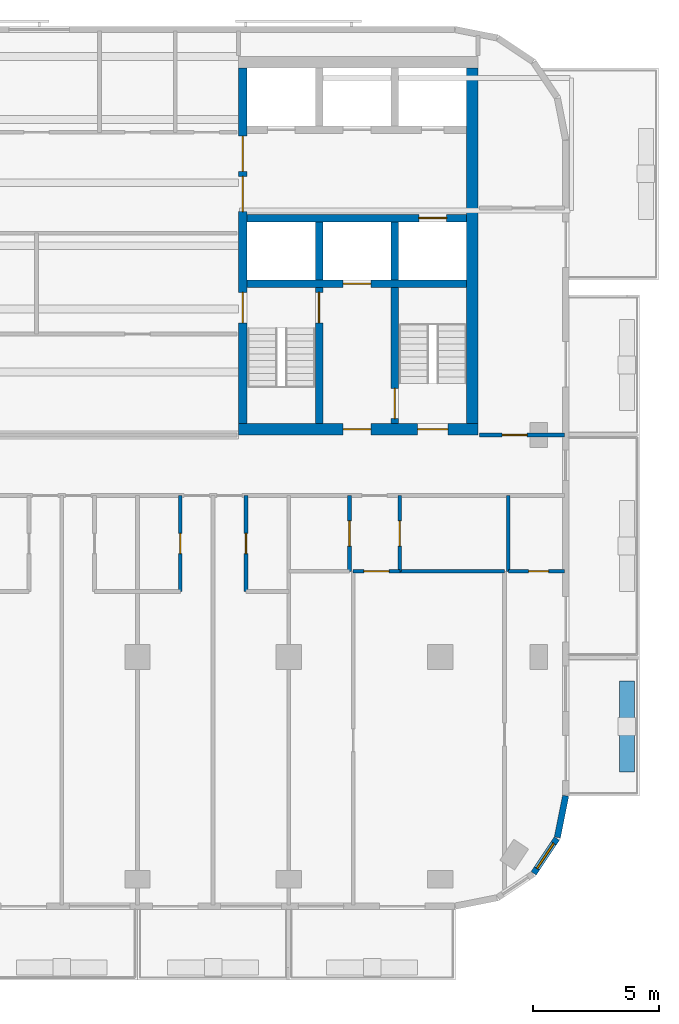
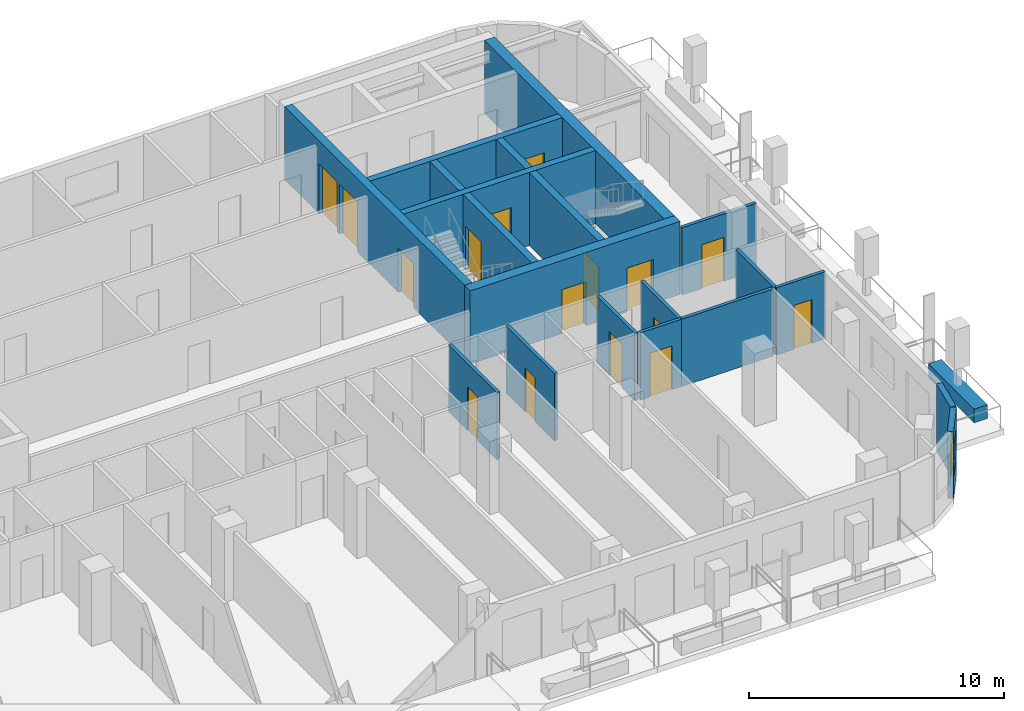
# One storey, part 5 of 11: 21 walls, 16 doors, 1 window, 17 openings.
"""IFC4 building model written with IfcOpenShell, lengths in metres."""

from ifc_helpers import new_model, si_unit, direction, frame, frame_2d, origin, place, context, subcontext, project, spatial, rectangle, extrude, material, layer, layer_set, type_object, element, fill, save


model = new_model("IFC4")

# Units and contexts
model_context = context("Model", 3, precision=1e-05, world=origin(), true_north=direction((0.0, 1.0)))
body_context = subcontext(model_context, "Body", "Model", "MODEL_VIEW")
ifc_project = project(units=[si_unit("LENGTHUNIT", "METRE"), si_unit("AREAUNIT", "SQUARE_METRE"), si_unit("VOLUMEUNIT", "CUBIC_METRE"), si_unit("PLANEANGLEUNIT", "RADIAN"), si_unit("MASSUNIT", "GRAM", prefix="KILO")], contexts=[model_context])

# Site, building, storey
site_placement = place(None, origin())
site = spatial("IfcSite", under=ifc_project, at=site_placement, CompositionType="ELEMENT")
building_placement = place(site_placement, origin())
building = spatial("IfcBuilding", under=site, at=building_placement, Name="Torana Hotel and Residences", CompositionType="ELEMENT")
storey_placement = place(building_placement, frame((0.0, 0.0, 273.60009765625)))
storey = spatial("IfcBuildingStorey", under=building, at=storey_placement, Name="L72", CompositionType="ELEMENT", Elevation=273.60009765625)

# Wall, opening, door
ifc_material_1 = material(Name="Concrete C60/75", Category="concrete")
ifc_layer_1 = layer(ifc_material_1, 0.300048828125)
ifc_layer_set_1 = layer_set([ifc_layer_1], Name="CORE WALL 300 C60/75")
wall_type_1 = type_object("IfcWallType", Name="CORE WALL 300 C60/75", PredefinedType="SHEAR", material=ifc_layer_set_1)
wall_1_placement = place(storey_placement, frame((10.35009765625, -6.39990234375, 0.0), z_axis=(0.0, 0.0, 1.0), x_axis=(1.0, 0.0, 0.0)))
wall_1 = element("IfcWall", 1, at=wall_1_placement, inside=storey, type_object=wall_type_1, Name="Core wall E row-S", PredefinedType="SHEAR", context=body_context, shape_type="SweptSolid", body=[
    extrude(rectangle(XDim=8.699951171875, YDim=0.300048828125, at=frame_2d((4.35009765625, 0.0))), origin(), (0.0, 0.0, 1.0), 3.5),
])
opening_1_placement = place(wall_1_placement, frame((6.800048828125, 0.0, 0.0)))
opening_1 = element("IfcOpeningElement", 2, at=opening_1_placement, cuts=wall_1, Name="Opening LD", PredefinedType="OPENING", context=body_context, shape_type="SweptSolid", body=[
    extrude(rectangle(XDim=1.10009765625, YDim=2.10009765625, at=frame_2d((0.550048828125, 1.050048828125))), frame((0.0, 0.159912109375, 0.0), z_axis=(0.0, -1.0, 0.0), x_axis=(1.0, 0.0, 0.0)), (0.0, 0.0, 1.0), 0.320068359375),
])
ifc_material_2 = material(Name="Stainless steel 316", Category="steel")
door_type_1 = type_object("IfcDoorType", Name="LIFT LANDING DOOR LD 1100x2100", OperationType="DOUBLE_DOOR_SLIDING", PredefinedType="USERDEFINED", material=ifc_material_2)
door_1_placement = place(opening_1_placement, origin())
door_1 = element("IfcDoor", 3, at=door_1_placement, inside=storey, type_object=door_type_1, Name="Lift landing door SV2 L72", ObjectType="LIFT LANDING DOOR", OperationType="DOUBLE_DOOR_SLIDING", OverallHeight=2.10009765625, OverallWidth=1.10009765625, PredefinedType="USERDEFINED", context=body_context, shape_type="SweptSolid", body=[
    extrude(rectangle(XDim=1.10009765625, YDim=2.10009765625, at=frame_2d((0.550048828125, 1.050048828125))), frame((0.0, 0.02490234375, 0.0), z_axis=(0.0, -1.0, 0.0), x_axis=(1.0, 0.0, 0.0)), (0.0, 0.0, 1.0), 0.050048828125),
])
fill(opening_1, door_1)

wall_2_placement = place(storey_placement, frame((10.35009765625, -9.0, 0.0), z_axis=(0.0, 0.0, 1.0), x_axis=(1.0, 0.0, 0.0)))
wall_2 = element("IfcWall", 4, at=wall_2_placement, inside=storey, type_object=wall_type_1, Name="Core wall E band", PredefinedType="SHEAR", context=body_context, shape_type="SweptSolid", body=[
    extrude(rectangle(XDim=8.699951171875, YDim=0.300048828125, at=frame_2d((4.35009765625, 0.0))), origin(), (0.0, 0.0, 1.0), 3.5),
])
opening_2_placement = place(wall_2_placement, frame((3.800048828125, 0.0, 0.0)))
opening_2 = element("IfcOpeningElement", 5, at=opening_2_placement, cuts=wall_2, Name="Opening LD", PredefinedType="OPENING", context=body_context, shape_type="SweptSolid", body=[
    extrude(rectangle(XDim=1.10009765625, YDim=2.10009765625, at=frame_2d((0.550048828125, 1.050048828125))), frame((0.0, 0.159912109375, 0.0), z_axis=(0.0, -1.0, 0.0), x_axis=(1.0, 0.0, 0.0)), (0.0, 0.0, 1.0), 0.320068359375),
])
door_2_placement = place(opening_2_placement, origin())
door_2 = element("IfcDoor", 6, at=door_2_placement, inside=storey, type_object=door_type_1, Name="Lift landing door FF2 L72", ObjectType="LIFT LANDING DOOR", OperationType="DOUBLE_DOOR_SLIDING", OverallHeight=2.10009765625, OverallWidth=1.10009765625, PredefinedType="USERDEFINED", context=body_context, shape_type="SweptSolid", body=[
    extrude(rectangle(XDim=1.10009765625, YDim=2.10009765625, at=frame_2d((0.550048828125, 1.050048828125))), frame((0.0, 0.02490234375, 0.0), z_axis=(0.0, -1.0, 0.0), x_axis=(1.0, 0.0, 0.0)), (0.0, 0.0, 1.0), 0.050048828125),
])
fill(opening_2, door_2)

# Wall
wall_3_placement = place(storey_placement, frame((13.199951171875, -8.85009765625, 0.0), z_axis=(0.0, 0.0, 1.0), x_axis=(0.0, 1.0, 0.0)))
element("IfcWall", 7, at=wall_3_placement, inside=storey, type_object=wall_type_1, Name="Core wall E x3.05-S", PredefinedType="SHEAR", context=body_context, shape_type="SweptSolid", body=[
    extrude(rectangle(XDim=2.300048828125, YDim=0.300048828125, at=frame_2d((1.14990234375, 0.0))), origin(), (0.0, 0.0, 1.0), 3.5),
])

# Wall, opening, door
wall_4_placement = place(storey_placement, frame((13.199951171875, -14.550048828125, 0.0), z_axis=(0.0, 0.0, 1.0), x_axis=(0.0, 1.0, 0.0)))
wall_4 = element("IfcWall", 8, at=wall_4_placement, inside=storey, type_object=wall_type_1, Name="Core wall E x3.05-band", PredefinedType="SHEAR", context=body_context, shape_type="SweptSolid", body=[
    extrude(rectangle(XDim=5.400146484375, YDim=0.300048828125, at=frame_2d((2.7001953125, 0.0))), origin(), (0.0, 0.0, 1.0), 3.5),
])
opening_3_placement = place(wall_4_placement, frame((4.0, 0.0, 0.0)))
opening_3 = element("IfcOpeningElement", 9, at=opening_3_placement, cuts=wall_4, Name="Opening L72-15", PredefinedType="OPENING", context=body_context, shape_type="SweptSolid", body=[
    extrude(rectangle(XDim=1.199951171875, YDim=2.10009765625, at=frame_2d((0.60009765625, 1.050048828125))), frame((0.0, 0.159912109375, 0.0), z_axis=(0.0, -1.0, 0.0), x_axis=(1.0, 0.0, 0.0)), (0.0, 0.0, 1.0), 0.320068359375),
])
ifc_material_3 = material(Name="Steel S235", Category="steel")
door_type_2 = type_object("IfcDoorType", Name="STAIR FIRE DOOR D3 1200x2100", OperationType="SINGLE_SWING_LEFT", PredefinedType="DOOR", material=ifc_material_3)
door_3_placement = place(opening_3_placement, origin())
door_3 = element("IfcDoor", 10, at=door_3_placement, inside=storey, type_object=door_type_2, Name="Stair-A-lobby door L72", OperationType="SINGLE_SWING_LEFT", OverallHeight=2.10009765625, OverallWidth=1.199951171875, PredefinedType="DOOR", context=body_context, shape_type="SweptSolid", body=[
    extrude(rectangle(XDim=1.199951171875, YDim=2.10009765625, at=frame_2d((0.60009765625, 1.050048828125))), frame((0.0, 0.02490234375, 0.0), z_axis=(0.0, -1.0, 0.0), x_axis=(1.0, 0.0, 0.0)), (0.0, 0.0, 1.0), 0.050048828125),
])
fill(opening_3, door_3)

# Wall
wall_5_placement = place(storey_placement, frame((16.199951171875, -8.85009765625, 0.0), z_axis=(0.0, 0.0, 1.0), x_axis=(0.0, 1.0, 0.0)))
element("IfcWall", 11, at=wall_5_placement, inside=storey, type_object=wall_type_1, Name="Core wall E x6.05-S", PredefinedType="SHEAR", context=body_context, shape_type="SweptSolid", body=[
    extrude(rectangle(XDim=2.300048828125, YDim=0.300048828125, at=frame_2d((1.14990234375, 0.0))), origin(), (0.0, 0.0, 1.0), 3.5),
])

# Wall, opening, door
wall_6_placement = place(storey_placement, frame((16.199951171875, -14.550048828125, 0.0), z_axis=(0.0, 0.0, 1.0), x_axis=(0.0, 1.0, 0.0)))
wall_6 = element("IfcWall", 12, at=wall_6_placement, inside=storey, type_object=wall_type_1, Name="Core wall E x6.05-band", PredefinedType="SHEAR", context=body_context, shape_type="SweptSolid", body=[
    extrude(rectangle(XDim=5.400146484375, YDim=0.300048828125, at=frame_2d((2.7001953125, 0.0))), origin(), (0.0, 0.0, 1.0), 3.5),
])
opening_4_placement = place(wall_6_placement, frame((0.199951171875, 0.0, 0.0)))
opening_4 = element("IfcOpeningElement", 13, at=opening_4_placement, cuts=wall_6, Name="Opening L72-16", PredefinedType="OPENING", context=body_context, shape_type="SweptSolid", body=[
    extrude(rectangle(XDim=1.199951171875, YDim=2.10009765625, at=frame_2d((0.60009765625, 1.050048828125))), frame((0.0, 0.159912109375, 0.0), z_axis=(0.0, -1.0, 0.0), x_axis=(1.0, 0.0, 0.0)), (0.0, 0.0, 1.0), 0.320068359375),
])
door_4_placement = place(opening_4_placement, frame((0.60009765625, 0.0, 0.0), z_axis=(0.0, 0.0, 1.0), x_axis=(-1.0, 0.0, 0.0)))
door_4 = element("IfcDoor", 14, at=door_4_placement, inside=storey, type_object=door_type_2, Name="Stair-B-lobby door L72", OperationType="SINGLE_SWING_LEFT", OverallHeight=2.10009765625, OverallWidth=1.199951171875, PredefinedType="DOOR", context=body_context, shape_type="SweptSolid", body=[
    extrude(rectangle(XDim=1.199951171875, YDim=2.10009765625, at=frame_2d((0.0, 1.050048828125))), frame((0.0, -0.02490234375, 0.0), z_axis=(0.0, 1.0, 0.0), x_axis=(-1.0, 0.0, 0.0)), (0.0, 0.0, 1.0), 0.050048828125),
])
fill(opening_4, door_4)

# Wall, openings, doors
ifc_material_4 = material(Name="Concrete C60/75", Category="concrete")
ifc_layer_2 = layer(ifc_material_4, 0.35009765625)
ifc_layer_set_2 = layer_set([ifc_layer_2], Name="CORE WALL 350 C60/75")
wall_type_2 = type_object("IfcWallType", Name="CORE WALL 350 C60/75", PredefinedType="SHEAR", material=ifc_layer_set_2)
wall_7_placement = place(storey_placement, frame((10.175048828125, -14.550048828125, 0.0), z_axis=(0.0, 0.0, 1.0), x_axis=(0.0, 1.0, 0.0)))
wall_7 = element("IfcWall", 15, at=wall_7_placement, inside=storey, type_object=wall_type_2, Name="Core wall E arch", PredefinedType="SHEAR", context=body_context, shape_type="SweptSolid", body=[
    extrude(rectangle(XDim=14.10009765625, YDim=0.35009765625, at=frame_2d((7.050048828125, 0.0))), origin(), (0.0, 0.0, 1.0), 3.5),
])
opening_5_placement = place(wall_7_placement, frame((8.39990234375, 0.0, 0.0)))
opening_5 = element("IfcOpeningElement", 16, at=opening_5_placement, cuts=wall_7, Name="Opening L72-09", PredefinedType="OPENING", context=body_context, shape_type="SweptSolid", body=[
    extrude(rectangle(XDim=1.39990234375, YDim=2.39990234375, at=frame_2d((0.699951171875, 1.199951171875))), frame((0.0, 0.18505859375, 0.0), z_axis=(0.0, -1.0, 0.0), x_axis=(1.0, 0.0, 0.0)), (0.0, 0.0, 1.0), 0.3701171875),
])
opening_6_placement = place(wall_7_placement, frame((10.0, 0.0, 0.0)))
opening_6 = element("IfcOpeningElement", 17, at=opening_6_placement, cuts=wall_7, Name="Opening L72-10", PredefinedType="OPENING", context=body_context, shape_type="SweptSolid", body=[
    extrude(rectangle(XDim=1.39990234375, YDim=2.39990234375, at=frame_2d((0.699951171875, 1.199951171875))), frame((0.0, 0.18505859375, 0.0), z_axis=(0.0, -1.0, 0.0), x_axis=(1.0, 0.0, 0.0)), (0.0, 0.0, 1.0), 0.3701171875),
])
opening_7_placement = place(wall_7_placement, frame((4.0, 0.0, 0.0)))
opening_7 = element("IfcOpeningElement", 18, at=opening_7_placement, cuts=wall_7, Name="Opening L72-11", PredefinedType="OPENING", context=body_context, shape_type="SweptSolid", body=[
    extrude(rectangle(XDim=1.199951171875, YDim=2.10009765625, at=frame_2d((0.60009765625, 1.050048828125))), frame((0.0, 0.18505859375, 0.0), z_axis=(0.0, -1.0, 0.0), x_axis=(1.0, 0.0, 0.0)), (0.0, 0.0, 1.0), 0.3701171875),
])
ifc_material_5 = material(Name="Steel S235", Category="steel")
door_type_3 = type_object("IfcDoorType", Name="LOBBY FIRE DOOR D4 1400x2400", OperationType="DOUBLE_DOOR_SINGLE_SWING", PredefinedType="DOOR", material=ifc_material_5)
door_5_placement = place(opening_5_placement, origin())
door_5 = element("IfcDoor", 19, at=door_5_placement, inside=storey, type_object=door_type_3, Name="Lobby-1 door L72", OperationType="DOUBLE_DOOR_SINGLE_SWING", OverallHeight=2.39990234375, OverallWidth=1.39990234375, PredefinedType="DOOR", context=body_context, shape_type="SweptSolid", body=[
    extrude(rectangle(XDim=1.39990234375, YDim=2.39990234375, at=frame_2d((0.699951171875, 1.199951171875))), frame((0.0, 0.02490234375, 0.0), z_axis=(0.0, -1.0, 0.0), x_axis=(1.0, 0.0, 0.0)), (0.0, 0.0, 1.0), 0.050048828125),
])
fill(opening_5, door_5)
door_6_placement = place(opening_6_placement, origin())
door_6 = element("IfcDoor", 20, at=door_6_placement, inside=storey, type_object=door_type_3, Name="Lobby-2 door L72", OperationType="DOUBLE_DOOR_SINGLE_SWING", OverallHeight=2.39990234375, OverallWidth=1.39990234375, PredefinedType="DOOR", context=body_context, shape_type="SweptSolid", body=[
    extrude(rectangle(XDim=1.39990234375, YDim=2.39990234375, at=frame_2d((0.699951171875, 1.199951171875))), frame((0.0, 0.02490234375, 0.0), z_axis=(0.0, -1.0, 0.0), x_axis=(1.0, 0.0, 0.0)), (0.0, 0.0, 1.0), 0.050048828125),
])
fill(opening_6, door_6)
door_7_placement = place(opening_7_placement, frame((0.60009765625, 0.0, 0.0), z_axis=(0.0, 0.0, 1.0), x_axis=(-1.0, 0.0, 0.0)))
door_7 = element("IfcDoor", 21, at=door_7_placement, inside=storey, type_object=door_type_2, Name="Stair-A door L72", OperationType="SINGLE_SWING_RIGHT", OverallHeight=2.10009765625, OverallWidth=1.199951171875, PredefinedType="DOOR", context=body_context, shape_type="SweptSolid", body=[
    extrude(rectangle(XDim=1.199951171875, YDim=2.10009765625, at=frame_2d((0.0, 1.050048828125))), frame((0.0, -0.02490234375, 0.0), z_axis=(0.0, 1.0, 0.0), x_axis=(-1.0, 0.0, 0.0)), (0.0, 0.0, 1.0), 0.050048828125),
])
fill(opening_7, door_7)

ifc_material_6 = material(Name="Concrete C60/75", Category="concrete")
ifc_layer_3 = layer(ifc_material_6, 0.449951171875)
ifc_layer_set_3 = layer_set([ifc_layer_3], Name="CORE WALL 450 C60/75")
wall_type_3 = type_object("IfcWallType", Name="CORE WALL 450 C60/75", PredefinedType="SHEAR", material=ifc_layer_set_3)
wall_8_placement = place(storey_placement, frame((10.0, -14.77490234375, 0.0), z_axis=(0.0, 0.0, 1.0), x_axis=(1.0, 0.0, 0.0)))
wall_8 = element("IfcWall", 22, at=wall_8_placement, inside=storey, type_object=wall_type_3, Name="Core wall E front", PredefinedType="SHEAR", context=body_context, shape_type="SweptSolid", body=[
    extrude(rectangle(XDim=9.5, YDim=0.449951171875, at=frame_2d((4.75, 0.0))), origin(), (0.0, 0.0, 1.0), 3.5),
])
opening_8_placement = place(wall_8_placement, frame((7.10009765625, 0.0, 0.0)))
opening_8 = element("IfcOpeningElement", 23, at=opening_8_placement, cuts=wall_8, Name="Opening L72-12", PredefinedType="OPENING", context=body_context, shape_type="SweptSolid", body=[
    extrude(rectangle(XDim=1.199951171875, YDim=2.10009765625, at=frame_2d((0.60009765625, 1.050048828125))), frame((0.0, 0.23486328125, 0.0), z_axis=(0.0, -1.0, 0.0), x_axis=(1.0, 0.0, 0.0)), (0.0, 0.0, 1.0), 0.469970703125),
])
opening_9_placement = place(wall_8_placement, frame((4.14990234375, 0.0, 0.0)))
opening_9 = element("IfcOpeningElement", 24, at=opening_9_placement, cuts=wall_8, Name="Opening L72-13", PredefinedType="OPENING", context=body_context, shape_type="SweptSolid", body=[
    extrude(rectangle(XDim=1.10009765625, YDim=2.10009765625, at=frame_2d((0.550048828125, 1.050048828125))), frame((0.0, 0.23486328125, 0.0), z_axis=(0.0, -1.0, 0.0), x_axis=(1.0, 0.0, 0.0)), (0.0, 0.0, 1.0), 0.469970703125),
])
ifc_material_7 = material(Name="Steel S235", Category="steel")
door_type_4 = type_object("IfcDoorType", Name="FIRE-FIGHTING LOBBY DOOR D8 1100x2100", OperationType="SINGLE_SWING_LEFT", PredefinedType="DOOR", material=ifc_material_7)
door_8_placement = place(opening_9_placement, origin())
door_8 = element("IfcDoor", 25, at=door_8_placement, inside=storey, type_object=door_type_4, Name="FF-lobby door L72", OperationType="SINGLE_SWING_RIGHT", OverallHeight=2.10009765625, OverallWidth=1.10009765625, PredefinedType="DOOR", context=body_context, shape_type="SweptSolid", body=[
    extrude(rectangle(XDim=1.10009765625, YDim=2.10009765625, at=frame_2d((0.550048828125, 1.050048828125))), frame((0.0, 0.02490234375, 0.0), z_axis=(0.0, -1.0, 0.0), x_axis=(1.0, 0.0, 0.0)), (0.0, 0.0, 1.0), 0.050048828125),
])
fill(opening_9, door_8)
door_9_placement = place(opening_8_placement, origin())
door_9 = element("IfcDoor", 26, at=door_9_placement, inside=storey, type_object=door_type_2, Name="Stair-B door L72", OperationType="SINGLE_SWING_RIGHT", OverallHeight=2.10009765625, OverallWidth=1.199951171875, PredefinedType="DOOR", context=body_context, shape_type="SweptSolid", body=[
    extrude(rectangle(XDim=1.199951171875, YDim=2.10009765625, at=frame_2d((0.60009765625, 1.050048828125))), frame((0.0, 0.02490234375, 0.0), z_axis=(0.0, -1.0, 0.0), x_axis=(1.0, 0.0, 0.0)), (0.0, 0.0, 1.0), 0.050048828125),
])
fill(opening_8, door_9)

# Wall
wall_9_placement = place(storey_placement, frame((19.27490234375, -14.550048828125, 0.0), z_axis=(0.0, 0.0, 1.0), x_axis=(0.0, 1.0, 0.0)))
element("IfcWall", 27, at=wall_9_placement, inside=storey, type_object=wall_type_3, Name="Core wall E outer", PredefinedType="SHEAR", context=body_context, shape_type="SweptSolid", body=[
    extrude(rectangle(XDim=14.10009765625, YDim=0.449951171875, at=frame_2d((7.050048828125, 0.0))), origin(), (0.0, 0.0, 1.0), 3.5),
])

# Wall, opening, window
ifc_material_8 = material(Name="Black aluminium composite panel", Category="aluminium")
ifc_layer_4 = layer(ifc_material_8, 0.00390625, Name="Cladding", Category="cladding")
ifc_material_9 = material(Name="Ventilated air cavity")
ifc_layer_5 = layer(ifc_material_9, 0.0400390625, Name="Ventilated cavity", Category="cavity")
ifc_material_10 = material(Name="Mineral wool insulation")
ifc_layer_6 = layer(ifc_material_10, 0.090087890625, Name="Insulation", Category="insulation")
ifc_material_11 = material(Name="Steel S280GD", Category="steel")
ifc_layer_7 = layer(ifc_material_11, 0.092041015625, Name="Steel stud frame", Category="structure")
ifc_material_12 = material(Name="Fire rated plasterboard")
ifc_layer_8 = layer(ifc_material_12, 0.011962890625, Name="Inner board", Category="finish")
ifc_layer_9 = layer(ifc_material_12, 0.011962890625, Name="Second board", Category="finish")
ifc_layer_set_4 = layer_set([ifc_layer_4, ifc_layer_5, ifc_layer_6, ifc_layer_7, ifc_layer_8, ifc_layer_9], Name="EW1 EXTERNAL WALL BLACK METAL CLAD 250")
wall_type_4 = type_object("IfcWallType", Name="EW1 EXTERNAL WALL BLACK METAL CLAD 250", PredefinedType="SOLIDWALL", material=ifc_layer_set_4)
wall_10_placement = place(storey_placement, frame((21.705810546875, -32.37109375, 0.0), z_axis=(0.0, 0.0, 1.0), x_axis=(0.55555029066, 0.831482937015, 0.0)))
wall_10 = element("IfcWall", 28, at=wall_10_placement, inside=storey, type_object=wall_type_4, Name="External wall L72 e0.17", PredefinedType="SOLIDWALL", context=body_context, shape_type="SweptSolid", body=[
    extrude(rectangle(XDim=1.65625, YDim=0.25, at=frame_2d((0.828125, 0.0))), origin(), (0.0, 0.0, 1.0), 3.219970703125),
])
opening_10_placement = place(wall_10_placement, frame((0.228271484375, 0.0, 0.89990234375)))
opening_10 = element("IfcOpeningElement", 29, at=opening_10_placement, cuts=wall_10, Name="Opening W5", PredefinedType="OPENING", context=body_context, shape_type="SweptSolid", body=[
    extrude(rectangle(XDim=1.199951171875, YDim=1.5, at=frame_2d((0.60009765625, 0.75))), frame((0.0, 0.135009765625, 0.0), z_axis=(0.0, -1.0, 0.0), x_axis=(1.0, 0.0, 0.0)), (0.0, 0.0, 1.0), 0.27001953125),
])
ifc_material_13 = material(Name="Dark glass in black aluminium frame", Category="aluminium")
window_type = type_object("IfcWindowType", Name="W5 CORNER FACET WINDOW 1200x1500", PartitioningType="SINGLE_PANEL", PredefinedType="WINDOW", material=ifc_material_13)
window_placement = place(opening_10_placement, origin())
window = element("IfcWindow", 30, at=window_placement, inside=storey, type_object=window_type, Name="Window L72 e0.17", OverallHeight=1.5, OverallWidth=1.199951171875, PartitioningType="SINGLE_PANEL", PredefinedType="WINDOW", context=body_context, shape_type="SweptSolid", body=[
    extrude(rectangle(XDim=1.199951171875, YDim=1.5, at=frame_2d((0.60009765625, 0.75))), frame((0.0, 0.030029296875, 0.0), z_axis=(0.0, -1.0, 0.0), x_axis=(1.0, 0.0, 0.0)), (0.0, 0.0, 1.0), 0.06005859375),
])
fill(opening_10, window)

# Wall
wall_11_placement = place(storey_placement, frame((22.64453125, -30.948974609375, 0.0), z_axis=(0.0, 0.0, 1.0), x_axis=(0.19513878023, 0.980775640221, 0.0)))
element("IfcWall", 31, at=wall_11_placement, inside=storey, type_object=wall_type_4, Name="External wall L72 e0.18", PredefinedType="SOLIDWALL", context=body_context, shape_type="SweptSolid", body=[
    extrude(rectangle(XDim=1.681396484375, YDim=0.25, at=frame_2d((0.8408203125, 0.0))), origin(), (0.0, 0.0, 1.0), 3.219970703125),
])

# Wall, opening, door
ifc_material_14 = material(Name="Gypsum plaster")
ifc_layer_10 = layer(ifc_material_14, 0.014892578125, Name="Plaster", Category="finish")
ifc_material_15 = material(Name="Concrete blockwork", Category="masonry")
ifc_layer_11 = layer(ifc_material_15, 0.1201171875, Name="Blockwork", Category="structure")
ifc_layer_12 = layer(ifc_material_14, 0.014892578125, Name="Plaster", Category="finish")
ifc_layer_set_5 = layer_set([ifc_layer_10, ifc_layer_11, ifc_layer_12], Name="FIRE PARTITION 150 BLOCKWORK")
wall_type_5 = type_object("IfcWallType", Name="FIRE PARTITION 150 BLOCKWORK", PredefinedType="PARTITIONING", material=ifc_layer_set_5)
wall_12_placement = place(storey_placement, frame((16.39990234375, -20.39990234375, 0.0), z_axis=(0.0, 0.0, 1.0), x_axis=(0.0, 1.0, 0.0)))
wall_12 = element("IfcWall", 32, at=wall_12_placement, inside=storey, type_object=wall_type_5, Name="Partition L72", PredefinedType="PARTITIONING", context=body_context, shape_type="SweptSolid", body=[
    extrude(rectangle(XDim=3.0, YDim=0.14990234375, at=frame_2d((1.5, 0.0))), origin(), (0.0, 0.0, 1.0), 3.219970703125),
])
opening_11_placement = place(wall_12_placement, frame((1.0, 0.0, 0.0)))
opening_11 = element("IfcOpeningElement", 33, at=opening_11_placement, cuts=wall_12, Name="Opening L72-52", PredefinedType="OPENING", context=body_context, shape_type="SweptSolid", body=[
    extrude(rectangle(XDim=1.0, YDim=2.10009765625, at=frame_2d((0.5, 1.050048828125))), frame((0.0, 0.0849609375, 0.0), z_axis=(0.0, -1.0, 0.0), x_axis=(1.0, 0.0, 0.0)), (0.0, 0.0, 1.0), 0.169921875),
])
ifc_material_16 = material(Name="Steel S235", Category="steel")
door_type_5 = type_object("IfcDoorType", Name="ENTRY FIRE DOOR D6 1000x2100", OperationType="SINGLE_SWING_LEFT", PredefinedType="DOOR", material=ifc_material_16)
door_10_placement = place(opening_11_placement, frame((0.5, 0.0, 0.0), z_axis=(0.0, 0.0, 1.0), x_axis=(-1.0, 0.0, 0.0)))
door_10 = element("IfcDoor", 34, at=door_10_placement, inside=storey, type_object=door_type_5, Name="Door L72", OperationType="SINGLE_SWING_LEFT", OverallHeight=2.10009765625, OverallWidth=1.0, PredefinedType="DOOR", context=body_context, shape_type="SweptSolid", body=[
    extrude(rectangle(XDim=1.0, YDim=2.10009765625, at=frame_2d((0.0, 1.050048828125))), frame((0.0, -0.02490234375, 0.0), z_axis=(0.0, 1.0, 0.0), x_axis=(-1.0, 0.0, 0.0)), (0.0, 0.0, 1.0), 0.050048828125),
])
fill(opening_11, door_10)

wall_13_placement = place(storey_placement, frame((14.39990234375, -20.39990234375, 0.0), z_axis=(0.0, 0.0, 1.0), x_axis=(0.0, 1.0, 0.0)))
wall_13 = element("IfcWall", 35, at=wall_13_placement, inside=storey, type_object=wall_type_5, Name="Partition L72", PredefinedType="PARTITIONING", context=body_context, shape_type="SweptSolid", body=[
    extrude(rectangle(XDim=3.0, YDim=0.14990234375, at=frame_2d((1.5, 0.0))), origin(), (0.0, 0.0, 1.0), 3.219970703125),
])
opening_12_placement = place(wall_13_placement, frame((1.0, 0.0, 0.0)))
opening_12 = element("IfcOpeningElement", 36, at=opening_12_placement, cuts=wall_13, Name="Opening L72-51", PredefinedType="OPENING", context=body_context, shape_type="SweptSolid", body=[
    extrude(rectangle(XDim=1.0, YDim=2.10009765625, at=frame_2d((0.5, 1.050048828125))), frame((0.0, 0.0849609375, 0.0), z_axis=(0.0, -1.0, 0.0), x_axis=(1.0, 0.0, 0.0)), (0.0, 0.0, 1.0), 0.169921875),
])
door_11_placement = place(opening_12_placement, origin())
door_11 = element("IfcDoor", 37, at=door_11_placement, inside=storey, type_object=door_type_5, Name="Door L72", OperationType="SINGLE_SWING_RIGHT", OverallHeight=2.10009765625, OverallWidth=1.0, PredefinedType="DOOR", context=body_context, shape_type="SweptSolid", body=[
    extrude(rectangle(XDim=1.0, YDim=2.10009765625, at=frame_2d((0.5, 1.050048828125))), frame((0.0, 0.02490234375, 0.0), z_axis=(0.0, -1.0, 0.0), x_axis=(1.0, 0.0, 0.0)), (0.0, 0.0, 1.0), 0.050048828125),
])
fill(opening_12, door_11)

wall_14_placement = place(storey_placement, frame((14.550048828125, -20.39990234375, 0.0), z_axis=(0.0, 0.0, 1.0), x_axis=(1.0, 0.0, 0.0)))
wall_14 = element("IfcWall", 38, at=wall_14_placement, inside=storey, type_object=wall_type_5, Name="Partition L72", PredefinedType="PARTITIONING", context=body_context, shape_type="SweptSolid", body=[
    extrude(rectangle(XDim=1.849853515625, YDim=0.14990234375, at=frame_2d((0.9248046875, 0.0))), origin(), (0.0, 0.0, 1.0), 3.219970703125),
])
opening_13_placement = place(wall_14_placement, frame((0.425048828125, 0.0, 0.0)))
opening_13 = element("IfcOpeningElement", 39, at=opening_13_placement, cuts=wall_14, Name="Opening L72-53", PredefinedType="OPENING", context=body_context, shape_type="SweptSolid", body=[
    extrude(rectangle(XDim=1.0, YDim=2.10009765625, at=frame_2d((0.5, 1.050048828125))), frame((0.0, 0.0849609375, 0.0), z_axis=(0.0, -1.0, 0.0), x_axis=(1.0, 0.0, 0.0)), (0.0, 0.0, 1.0), 0.169921875),
])
door_12_placement = place(opening_13_placement, frame((0.5, 0.0, 0.0), z_axis=(0.0, 0.0, 1.0), x_axis=(-1.0, 0.0, 0.0)))
door_12 = element("IfcDoor", 40, at=door_12_placement, inside=storey, type_object=door_type_5, Name="Door L72", OperationType="SINGLE_SWING_LEFT", OverallHeight=2.10009765625, OverallWidth=1.0, PredefinedType="DOOR", context=body_context, shape_type="SweptSolid", body=[
    extrude(rectangle(XDim=1.0, YDim=2.10009765625, at=frame_2d((0.0, 1.050048828125))), frame((0.0, -0.02490234375, 0.0), z_axis=(0.0, 1.0, 0.0), x_axis=(-1.0, 0.0, 0.0)), (0.0, 0.0, 1.0), 0.050048828125),
])
fill(opening_13, door_12)

wall_15_placement = place(storey_placement, frame((19.550048828125, -15.0, 0.0), z_axis=(0.0, 0.0, 1.0), x_axis=(1.0, 0.0, 0.0)))
wall_15 = element("IfcWall", 41, at=wall_15_placement, inside=storey, type_object=wall_type_5, Name="Partition L72", PredefinedType="PARTITIONING", context=body_context, shape_type="SweptSolid", body=[
    extrude(rectangle(XDim=3.369873046875, YDim=0.14990234375, at=frame_2d((1.68505859375, 0.0))), origin(), (0.0, 0.0, 1.0), 3.219970703125),
])
opening_14_placement = place(wall_15_placement, frame((0.89990234375, 0.0, 0.0)))
opening_14 = element("IfcOpeningElement", 42, at=opening_14_placement, cuts=wall_15, Name="Opening L72-27", PredefinedType="OPENING", context=body_context, shape_type="SweptSolid", body=[
    extrude(rectangle(XDim=1.0, YDim=2.10009765625, at=frame_2d((0.5, 1.050048828125))), frame((0.0, 0.0849609375, 0.0), z_axis=(0.0, -1.0, 0.0), x_axis=(1.0, 0.0, 0.0)), (0.0, 0.0, 1.0), 0.169921875),
])
ifc_material_17 = material(Name="Steel S235", Category="steel")
door_type_6 = type_object("IfcDoorType", Name="CORE ROOM FIRE DOOR D14 1000x2100", OperationType="SINGLE_SWING_LEFT", PredefinedType="DOOR", material=ifc_material_17)
door_13_placement = place(opening_14_placement, origin())
door_13 = element("IfcDoor", 43, at=door_13_placement, inside=storey, type_object=door_type_6, Name="Door L72", OperationType="SINGLE_SWING_LEFT", OverallHeight=2.10009765625, OverallWidth=1.0, PredefinedType="DOOR", context=body_context, shape_type="SweptSolid", body=[
    extrude(rectangle(XDim=1.0, YDim=2.10009765625, at=frame_2d((0.5, 1.050048828125))), frame((0.0, 0.02490234375, 0.0), z_axis=(0.0, -1.0, 0.0), x_axis=(1.0, 0.0, 0.0)), (0.0, 0.0, 1.0), 0.050048828125),
])
fill(opening_14, door_13)

# Wall
ifc_material_18 = material(Name="Gypsum plasterboard")
ifc_layer_13 = layer(ifc_material_18, 0.012451171875, Name="Plasterboard", Category="finish")
ifc_layer_14 = layer(ifc_material_18, 0.012451171875, Name="Plasterboard", Category="finish")
ifc_layer_15 = layer(ifc_material_11, 0.10009765625, Name="Steel studs with mineral wool", Category="insulation")
ifc_layer_16 = layer(ifc_material_18, 0.012451171875, Name="Plasterboard", Category="finish")
ifc_layer_17 = layer(ifc_material_18, 0.012451171875, Name="Plasterboard", Category="finish")
ifc_layer_set_6 = layer_set([ifc_layer_13, ifc_layer_14, ifc_layer_15, ifc_layer_16, ifc_layer_17], Name="PARTITION 150 PLASTERBOARD")
wall_type_6 = type_object("IfcWallType", Name="PARTITION 150 PLASTERBOARD", PredefinedType="PARTITIONING", material=ifc_layer_set_6)
wall_16_placement = place(storey_placement, frame((20.699951171875, -20.39990234375, 0.0), z_axis=(0.0, 0.0, 1.0), x_axis=(0.0, 1.0, 0.0)))
element("IfcWall", 44, at=wall_16_placement, inside=storey, type_object=wall_type_6, Name="Partition L72", PredefinedType="PARTITIONING", context=body_context, shape_type="SweptSolid", body=[
    extrude(rectangle(XDim=3.0, YDim=0.14990234375, at=frame_2d((1.5, 0.0))), origin(), (0.0, 0.0, 1.0), 3.219970703125),
])

# Wall, opening, door
wall_17_placement = place(storey_placement, frame((10.300048828125, -21.199951171875, 0.0), z_axis=(0.0, 0.0, 1.0), x_axis=(0.0, 1.0, 0.0)))
wall_17 = element("IfcWall", 45, at=wall_17_placement, inside=storey, type_object=wall_type_6, Name="Partition L72", PredefinedType="PARTITIONING", context=body_context, shape_type="SweptSolid", body=[
    extrude(rectangle(XDim=3.800048828125, YDim=0.14990234375, at=frame_2d((1.89990234375, 0.0))), origin(), (0.0, 0.0, 1.0), 3.219970703125),
])
opening_15_placement = place(wall_17_placement, frame((1.5, 0.0, 0.0)))
opening_15 = element("IfcOpeningElement", 46, at=opening_15_placement, cuts=wall_17, Name="Opening L72-42", PredefinedType="OPENING", context=body_context, shape_type="SweptSolid", body=[
    extrude(rectangle(XDim=0.800048828125, YDim=2.10009765625, at=frame_2d((0.39990234375, 1.050048828125))), frame((0.0, 0.0849609375, 0.0), z_axis=(0.0, -1.0, 0.0), x_axis=(1.0, 0.0, 0.0)), (0.0, 0.0, 1.0), 0.169921875),
])
ifc_material_19 = material(Name="Timber door, painted", Category="wood")
door_type_7 = type_object("IfcDoorType", Name="BATH DOOR D13 800x2100", OperationType="SINGLE_SWING_LEFT", PredefinedType="DOOR", material=ifc_material_19)
door_14_placement = place(opening_15_placement, origin())
door_14 = element("IfcDoor", 47, at=door_14_placement, inside=storey, type_object=door_type_7, Name="Door L72", OperationType="SINGLE_SWING_RIGHT", OverallHeight=2.10009765625, OverallWidth=0.800048828125, PredefinedType="DOOR", context=body_context, shape_type="SweptSolid", body=[
    extrude(rectangle(XDim=0.800048828125, YDim=2.10009765625, at=frame_2d((0.39990234375, 1.050048828125))), frame((0.0, 0.02490234375, 0.0), z_axis=(0.0, -1.0, 0.0), x_axis=(1.0, 0.0, 0.0)), (0.0, 0.0, 1.0), 0.050048828125),
])
fill(opening_15, door_14)

wall_18_placement = place(storey_placement, frame((7.699951171875, -21.199951171875, 0.0), z_axis=(0.0, 0.0, 1.0), x_axis=(0.0, 1.0, 0.0)))
wall_18 = element("IfcWall", 48, at=wall_18_placement, inside=storey, type_object=wall_type_6, Name="Partition L72", PredefinedType="PARTITIONING", context=body_context, shape_type="SweptSolid", body=[
    extrude(rectangle(XDim=3.800048828125, YDim=0.14990234375, at=frame_2d((1.89990234375, 0.0))), origin(), (0.0, 0.0, 1.0), 3.219970703125),
])
opening_16_placement = place(wall_18_placement, frame((1.5, 0.0, 0.0)))
opening_16 = element("IfcOpeningElement", 49, at=opening_16_placement, cuts=wall_18, Name="Opening L72-41", PredefinedType="OPENING", context=body_context, shape_type="SweptSolid", body=[
    extrude(rectangle(XDim=0.800048828125, YDim=2.10009765625, at=frame_2d((0.39990234375, 1.050048828125))), frame((0.0, 0.0849609375, 0.0), z_axis=(0.0, -1.0, 0.0), x_axis=(1.0, 0.0, 0.0)), (0.0, 0.0, 1.0), 0.169921875),
])
door_15_placement = place(opening_16_placement, origin())
door_15 = element("IfcDoor", 50, at=door_15_placement, inside=storey, type_object=door_type_7, Name="Door L72", OperationType="SINGLE_SWING_RIGHT", OverallHeight=2.10009765625, OverallWidth=0.800048828125, PredefinedType="DOOR", context=body_context, shape_type="SweptSolid", body=[
    extrude(rectangle(XDim=0.800048828125, YDim=2.10009765625, at=frame_2d((0.39990234375, 1.050048828125))), frame((0.0, 0.02490234375, 0.0), z_axis=(0.0, -1.0, 0.0), x_axis=(1.0, 0.0, 0.0)), (0.0, 0.0, 1.0), 0.050048828125),
])
fill(opening_16, door_15)

# Wall
wall_19_placement = place(storey_placement, frame((16.39990234375, -20.39990234375, 0.0), z_axis=(0.0, 0.0, 1.0), x_axis=(1.0, 0.0, 0.0)))
element("IfcWall", 51, at=wall_19_placement, inside=storey, type_object=wall_type_6, Name="Partition L72", PredefinedType="PARTITIONING", context=body_context, shape_type="SweptSolid", body=[
    extrude(rectangle(XDim=4.150146484375, YDim=0.14990234375, at=frame_2d((2.0751953125, 0.0))), origin(), (0.0, 0.0, 1.0), 3.219970703125),
])

# Wall, opening, door
wall_20_placement = place(storey_placement, frame((20.699951171875, -20.39990234375, 0.0), z_axis=(0.0, 0.0, 1.0), x_axis=(1.0, 0.0, 0.0)))
wall_20 = element("IfcWall", 52, at=wall_20_placement, inside=storey, type_object=wall_type_6, Name="Partition L72", PredefinedType="PARTITIONING", context=body_context, shape_type="SweptSolid", body=[
    extrude(rectangle(XDim=2.219970703125, YDim=0.14990234375, at=frame_2d((1.10986328125, 0.0))), origin(), (0.0, 0.0, 1.0), 3.219970703125),
])
opening_17_placement = place(wall_20_placement, frame((0.800048828125, 0.0, 0.0)))
opening_17 = element("IfcOpeningElement", 53, at=opening_17_placement, cuts=wall_20, Name="Opening L72-54", PredefinedType="OPENING", context=body_context, shape_type="SweptSolid", body=[
    extrude(rectangle(XDim=0.800048828125, YDim=2.10009765625, at=frame_2d((0.39990234375, 1.050048828125))), frame((0.0, 0.0849609375, 0.0), z_axis=(0.0, -1.0, 0.0), x_axis=(1.0, 0.0, 0.0)), (0.0, 0.0, 1.0), 0.169921875),
])
door_16_placement = place(opening_17_placement, origin())
door_16 = element("IfcDoor", 54, at=door_16_placement, inside=storey, type_object=door_type_7, Name="Door L72", OperationType="SINGLE_SWING_LEFT", OverallHeight=2.10009765625, OverallWidth=0.800048828125, PredefinedType="DOOR", context=body_context, shape_type="SweptSolid", body=[
    extrude(rectangle(XDim=0.800048828125, YDim=2.10009765625, at=frame_2d((0.39990234375, 1.050048828125))), frame((0.0, 0.02490234375, 0.0), z_axis=(0.0, -1.0, 0.0), x_axis=(1.0, 0.0, 0.0)), (0.0, 0.0, 1.0), 0.050048828125),
])
fill(opening_17, door_16)

# Wall
ifc_material_20 = material(Name="Concrete C40/50 precast", Category="concrete")
ifc_layer_18 = layer(ifc_material_20, 0.10009765625, Name="Planter shell", Category="structure")
ifc_material_21 = material(Name="Root resistant membrane")
ifc_layer_19 = layer(ifc_material_21, 0.00390625, Name="Waterproofing membrane", Category="membrane")
ifc_material_22 = material(Name="Drainage board with filter fleece")
ifc_layer_20 = layer(ifc_material_22, 0.02001953125, Name="Drainage board", Category="drainage")
ifc_material_23 = material(Name="Growing medium")
ifc_layer_21 = layer(ifc_material_23, 0.47607421875, Name="Planting substrate", Category="soil")
ifc_layer_set_7 = layer_set([ifc_layer_18, ifc_layer_19, ifc_layer_20, ifc_layer_21], Name="PL1 BALCONY PLANTER 600")
wall_type_7 = type_object("IfcWallType", Name="PL1 BALCONY PLANTER 600", PredefinedType="USERDEFINED", material=ifc_layer_set_7)
wall_21_placement = place(storey_placement, frame((25.39990234375, -24.75, 0.0), z_axis=(0.0, 0.0, 1.0), x_axis=(0.0, -1.0, 0.0)))
element("IfcWall", 55, at=wall_21_placement, inside=storey, type_object=wall_type_7, Name="Planter 11", ObjectType="PLANTER", PredefinedType="USERDEFINED", context=body_context, shape_type="SweptSolid", body=[
    extrude(rectangle(XDim=3.60009765625, YDim=0.60009765625, at=frame_2d((1.800048828125, 0.0))), origin(), (0.0, 0.0, 1.0), 0.64990234375),
])

save(model, "model.ifc")
